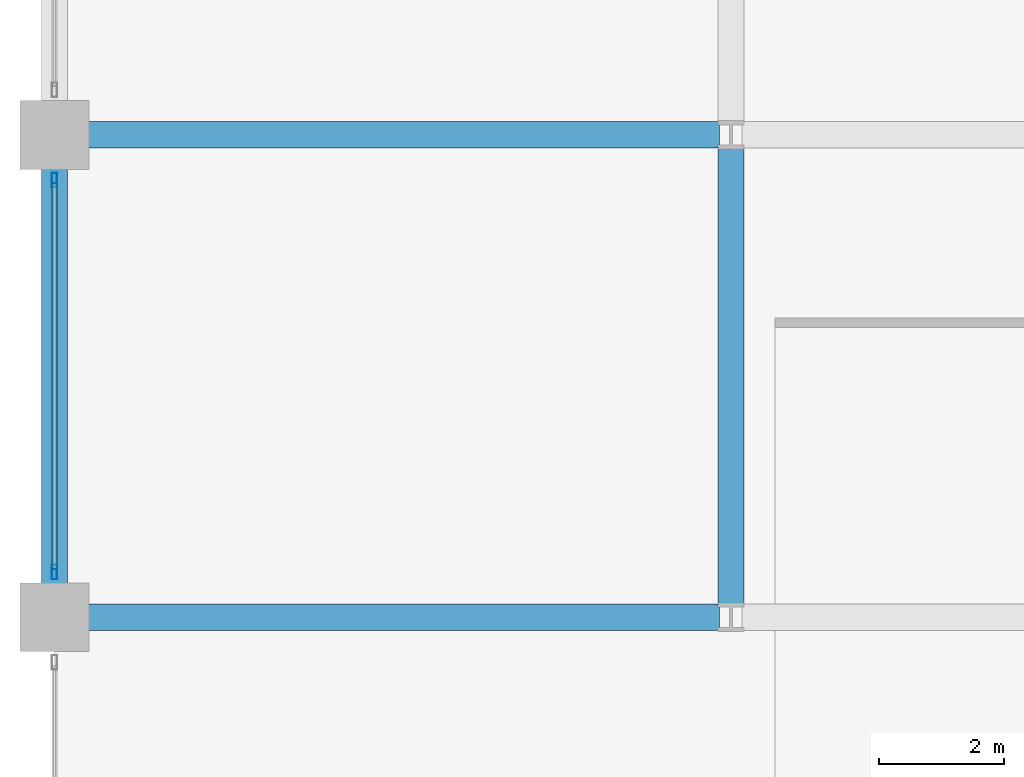
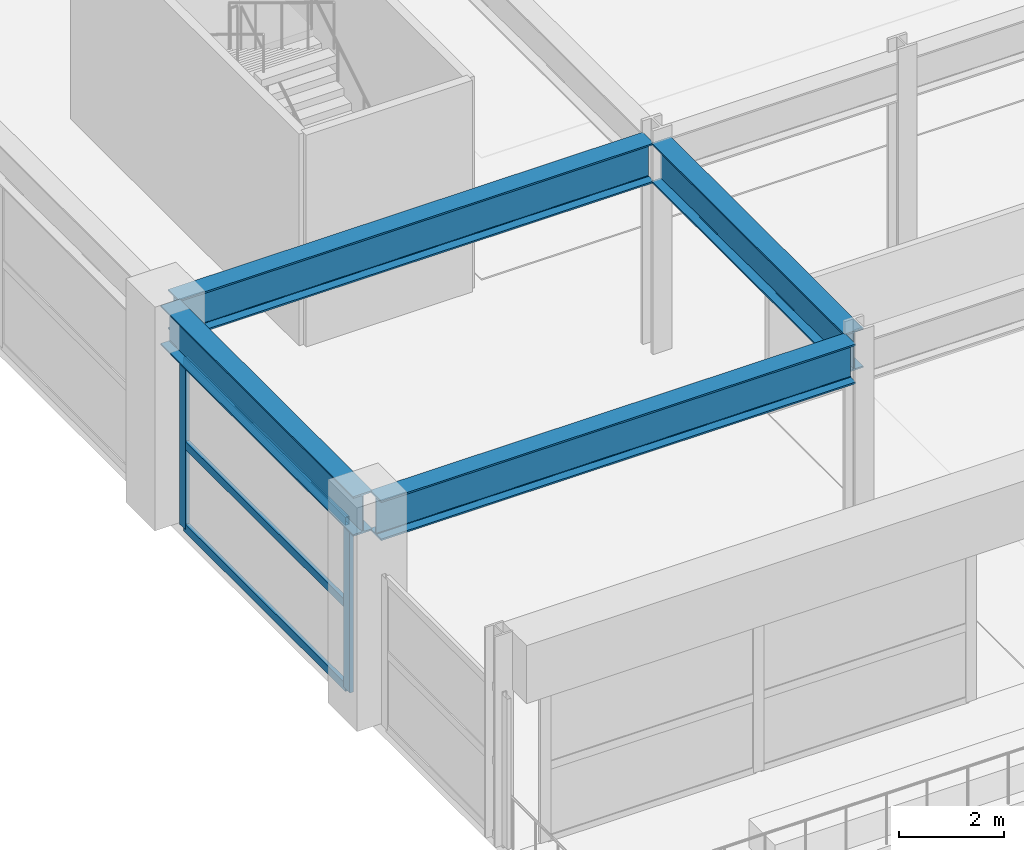
# One storey, part 6 of 43: 5 members, 4 beams, 1 element without a shape of its own.
"""IFC4 building model written with IfcOpenShell, lengths in metres."""

from ifc_helpers import new_model, si_unit, direction, frame, origin, origin_2d, place, context, subcontext, project, spatial, hollow_rectangle, i_section, extrude, material, material_profile, profile_set, type_object, element, aggregate, save


model = new_model("IFC4")

# Units and contexts
model_context = context("Model", 3, precision=1e-05, world=origin(), true_north=direction((0.0, 1.0)))
body_context = subcontext(model_context, "Body", "Model", "MODEL_VIEW")
ifc_project = project(units=[si_unit("LENGTHUNIT", "METRE"), si_unit("AREAUNIT", "SQUARE_METRE"), si_unit("VOLUMEUNIT", "CUBIC_METRE"), si_unit("PLANEANGLEUNIT", "RADIAN"), si_unit("MASSUNIT", "GRAM", prefix="KILO")], contexts=[model_context])

# Site, building, storey
site_placement = place(None, origin())
site = spatial("IfcSite", under=ifc_project, at=site_placement, CompositionType="ELEMENT")
building_placement = place(site_placement, origin())
building = spatial("IfcBuilding", under=site, at=building_placement, Name="Kovane Verandah Tower", CompositionType="ELEMENT")
storey_placement = place(building_placement, frame((0.0, 0.0, 11.199951171875)))
storey = spatial("IfcBuildingStorey", under=building, at=storey_placement, Name="L02", CompositionType="ELEMENT", Elevation=11.199951171875)

# Beams
ifc_material_1 = material(Name="Steel S460", Category="steel")
ifc_material_profile_1 = material_profile(ifc_material_1, i_section(OverallWidth=0.42041015625, OverallDepth=0.9208984375, WebThickness=0.021484375, FlangeThickness=0.03662109375, FilletRadius=0.024169921875, at=origin_2d()), Name="UB914x419x388")
ifc_profile_set_1 = profile_set([ifc_material_profile_1], Name="Steel S460")
beam_type = type_object("IfcBeamType", Name="BM-UB914x388", PredefinedType="BEAM", material=ifc_profile_set_1)
for number, where, z_axis, x_axis, name in (
    (1, (-1.820068359375, 10.800048828125, 4.439453125), (1.0, 0.0, 0.0), (0.0, 1.0, 0.0), "L02 Podium Grid Girder X01"),
    (2, (-1.820068359375, 18.5, 4.439453125), (1.0, 0.0, 0.0), (0.0, 1.0, 0.0), "L02 Podium Grid Girder X05"),
):
    element("IfcBeam", number, at=place(storey_placement, frame(where, z_axis=z_axis, x_axis=x_axis)), inside=storey, type_object=beam_type, Name=name, PredefinedType="BEAM", context=body_context, shape_type="SweptSolid", body=[
        extrude(i_section(OverallWidth=0.42041015625, OverallDepth=0.9208984375, WebThickness=0.021484375, FlangeThickness=0.03662109375, FilletRadius=0.024169921875, at=origin_2d()), origin(), (0.0, 0.0, 1.0), 10.440185546875),
    ])
for number, where, z_axis, x_axis, name in (
    (3, (-2.0, 10.97998046875, 4.439453125), (0.0, 1.0, 0.0), (-1.0, 0.0, 0.0), "L02 Podium Grid Girder Y24"),
    (4, (8.800048828125, 10.97998046875, 4.439453125), (0.0, 1.0, 0.0), (-1.0, 0.0, 0.0), "L02 Podium Grid Girder Y28"),
):
    element("IfcBeam", number, at=place(storey_placement, frame(where, z_axis=z_axis, x_axis=x_axis)), inside=storey, type_object=beam_type, Name=name, PredefinedType="BEAM", context=body_context, shape_type="SweptSolid", body=[
        extrude(i_section(OverallWidth=0.42041015625, OverallDepth=0.9208984375, WebThickness=0.021484375, FlangeThickness=0.03662109375, FilletRadius=0.024169921875, at=origin_2d()), origin(), (0.0, 0.0, 1.0), 7.340087890625),
    ])

# Curtain wall, members
ifc_material_2 = material(Name="Champagne Anodised Aluminium Frame with Low-E Clear Laminated Glass", Category="aluminium")
curtain_wall_type = type_object("IfcCurtainWallType", Name="CW-SYS-01-POD", PredefinedType="NOTDEFINED", material=ifc_material_2)
curtain_wall_placement = place(storey_placement, origin())
curtain_wall = element("IfcCurtainWall", 5, at=curtain_wall_placement, inside=storey, type_object=curtain_wall_type, Name="L02 West Podium Curtain Wall Bay 2", PredefinedType="NOTDEFINED")
ifc_material_3 = material(Name="Champagne Anodised Aluminium 6063-T6", Category="aluminium")
ifc_material_profile_2 = material_profile(ifc_material_3, hollow_rectangle(XDim=0.0849609375, YDim=0.22998046875, WallThickness=0.00390625, at=origin_2d()), Name="AL85x230x4")
ifc_profile_set_2 = profile_set([ifc_material_profile_2], Name="Champagne Anodised Aluminium 6063-T6")
member_type_1 = type_object("IfcMemberType", Name="CW-MUL-85x230", PredefinedType="MULLION", material=ifc_profile_set_2)
member_1_placement = place(storey_placement, frame((-2.0, 17.780029296875, 0.02001953125), z_axis=(0.0, 0.0, 1.0), x_axis=(-1.0, 0.0, 0.0)))
member_1 = element("IfcMember", 6, at=member_1_placement, type_object=member_type_1, Name="L02 West Podium Curtain Wall Bay 2 Mullion 1", PredefinedType="MULLION", context=body_context, shape_type="SweptSolid", body=[
    extrude(hollow_rectangle(XDim=0.0849609375, YDim=0.22998046875, WallThickness=0.00390625, at=origin_2d()), origin(), (0.0, 0.0, 1.0), 3.9189453125),
])
member_2_placement = place(storey_placement, frame((-2.0, 11.52001953125, 0.02001953125), z_axis=(0.0, 0.0, 1.0), x_axis=(-1.0, 0.0, 0.0)))
member_2 = element("IfcMember", 7, at=member_2_placement, type_object=member_type_1, Name="L02 West Podium Curtain Wall Bay 2 Mullion 2", PredefinedType="MULLION", context=body_context, shape_type="SweptSolid", body=[
    extrude(hollow_rectangle(XDim=0.0849609375, YDim=0.22998046875, WallThickness=0.00390625, at=origin_2d()), origin(), (0.0, 0.0, 1.0), 3.9189453125),
])
ifc_material_profile_3 = material_profile(ifc_material_3, hollow_rectangle(XDim=0.0849609375, YDim=0.18994140625, WallThickness=0.00390625, at=origin_2d()), Name="AL85x190x4")
ifc_profile_set_3 = profile_set([ifc_material_profile_3], Name="Champagne Anodised Aluminium 6063-T6")
member_type_2 = type_object("IfcMemberType", Name="CW-TRN-85x190", PredefinedType="USERDEFINED", material=ifc_profile_set_3)
member_3_placement = place(storey_placement, frame((-2.0, 17.72998046875, 0.050048828125), z_axis=(0.0, -1.0, 0.0), x_axis=(1.0, 0.0, 0.0)))
member_3 = element("IfcMember", 8, at=member_3_placement, type_object=member_type_2, Name="L02 West Podium Curtain Wall Bay 2 Transom TB Bay 1", ObjectType="TRANSOM", PredefinedType="USERDEFINED", context=body_context, shape_type="SweptSolid", body=[
    extrude(hollow_rectangle(XDim=0.0849609375, YDim=0.18994140625, WallThickness=0.00390625, at=origin_2d()), origin(), (0.0, 0.0, 1.0), 6.159912109375),
])
member_4_placement = place(storey_placement, frame((-2.0, 17.72998046875, 1.9794921875), z_axis=(0.0, -1.0, 0.0), x_axis=(1.0, 0.0, 0.0)))
member_4 = element("IfcMember", 9, at=member_4_placement, type_object=member_type_2, Name="L02 West Podium Curtain Wall Bay 2 Transom TM Bay 1", ObjectType="TRANSOM", PredefinedType="USERDEFINED", context=body_context, shape_type="SweptSolid", body=[
    extrude(hollow_rectangle(XDim=0.0849609375, YDim=0.18994140625, WallThickness=0.00390625, at=origin_2d()), origin(), (0.0, 0.0, 1.0), 6.159912109375),
])
member_5_placement = place(storey_placement, frame((-2.0, 17.72998046875, 3.908935546875), z_axis=(0.0, -1.0, 0.0), x_axis=(1.0, 0.0, 0.0)))
member_5 = element("IfcMember", 10, at=member_5_placement, type_object=member_type_2, Name="L02 West Podium Curtain Wall Bay 2 Transom TT Bay 1", ObjectType="TRANSOM", PredefinedType="USERDEFINED", context=body_context, shape_type="SweptSolid", body=[
    extrude(hollow_rectangle(XDim=0.0849609375, YDim=0.18994140625, WallThickness=0.00390625, at=origin_2d()), origin(), (0.0, 0.0, 1.0), 6.159912109375),
])
aggregate(curtain_wall, [member_1, member_2, member_3, member_4, member_5])

save(model, "model.ifc")
